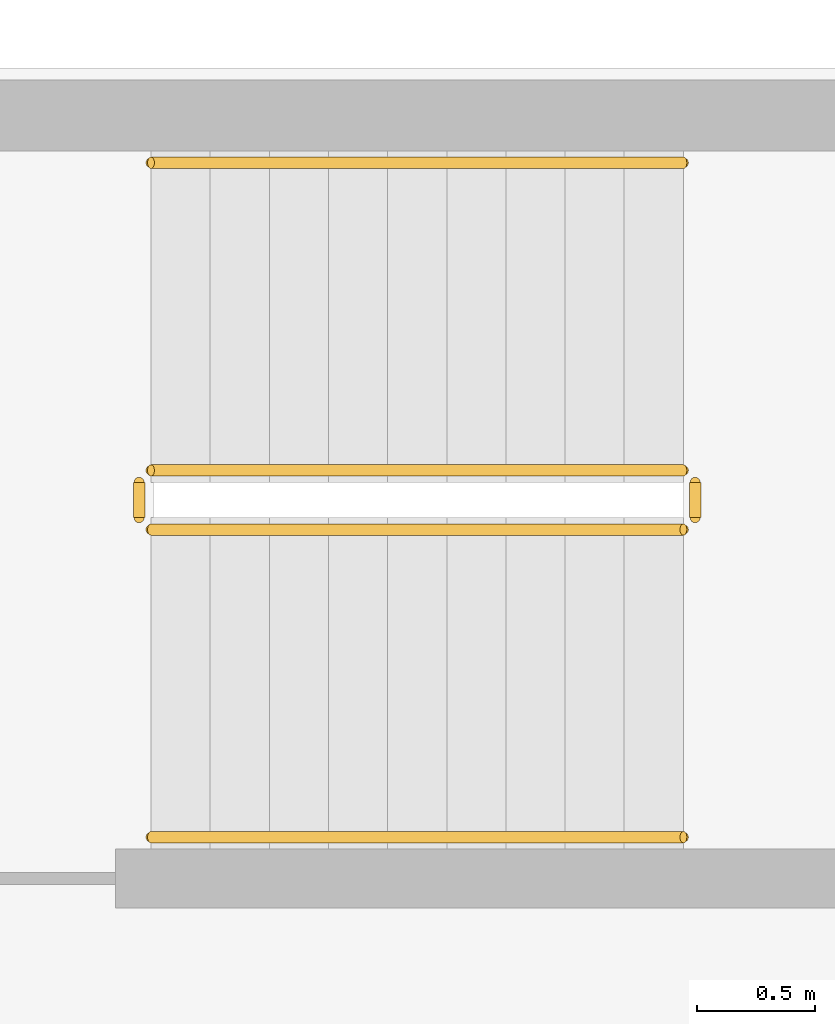
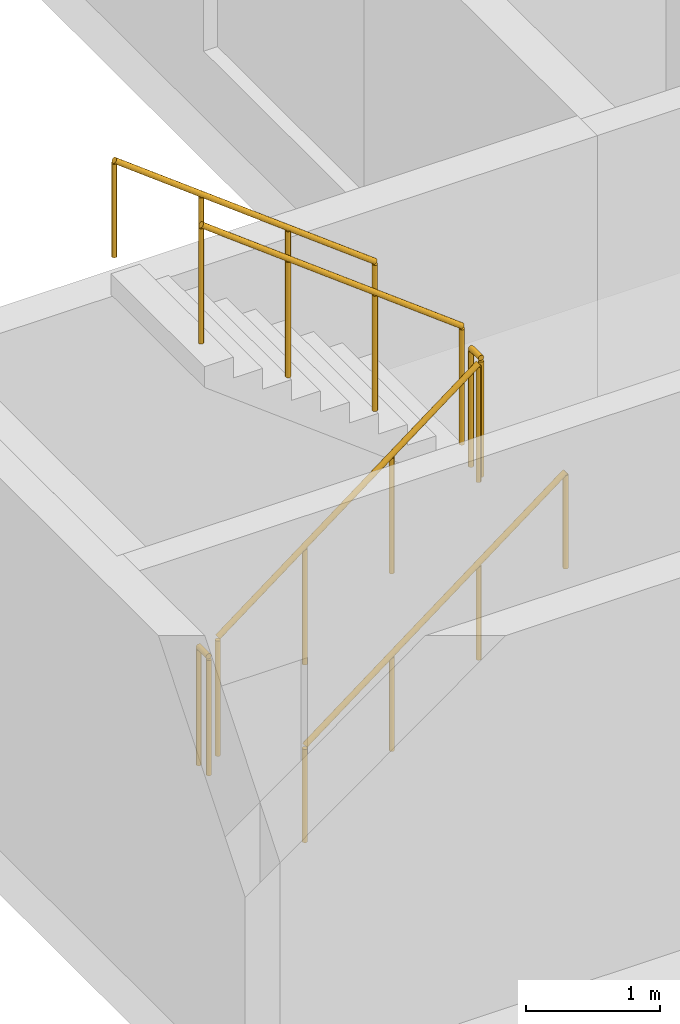
# One storey, part 13 of 13: 6 railings.
"""IFC4 building model written with IfcOpenShell, lengths in metres."""

from ifc_helpers import new_model, si_unit, direction, frame, origin, origin_2d, place, context, subcontext, project, spatial, circle, extrude, source, transform, mapped, material, type_object, element, save


model = new_model("IFC4")

# Units and contexts
model_context = context("Model", 3, precision=1e-05, world=origin(), true_north=direction((0.0, 1.0)))
body_context = subcontext(model_context, "Body", "Model", "MODEL_VIEW")
ifc_project = project(units=[si_unit("LENGTHUNIT", "METRE"), si_unit("AREAUNIT", "SQUARE_METRE"), si_unit("VOLUMEUNIT", "CUBIC_METRE"), si_unit("PLANEANGLEUNIT", "RADIAN"), si_unit("MASSUNIT", "GRAM", prefix="KILO")], contexts=[model_context])

# Site, building, storey
site_placement = place(None, origin())
site = spatial("IfcSite", under=ifc_project, at=site_placement, CompositionType="ELEMENT")
building_placement = place(site_placement, origin())
building = spatial("IfcBuilding", under=site, at=building_placement, Name="Aurelian Terraces", CompositionType="ELEMENT")
storey_placement = place(building_placement, frame((0.0, 0.0, 204.4)))
storey = spatial("IfcBuildingStorey", under=building, at=storey_placement, Name="L45", CompositionType="ELEMENT", Elevation=204.4)

# Railings
ifc_material = material(Name="Stainless steel", Category="steel")
railing_type_1 = type_object("IfcRailingType", Name="Stair guard 1100", PredefinedType="GUARDRAIL", material=ifc_material)
shared_shape_1 = source(origin(), body_context, "Body", "SweptSolid", [
    extrude(circle(Radius=0.024, at=origin_2d()), frame((0.0, 0.0, 1.076), z_axis=(0.0, 1.0, 0.0), x_axis=(-1.0, 0.0, 0.0)), (0.0, 0.0, 1.0), 0.15),
    extrude(circle(Radius=0.021, at=origin_2d()), origin(), (0.0, 0.0, 1.0), 1.052),
    extrude(circle(Radius=0.021, at=origin_2d()), frame((0.0, 0.15, 0.0)), (0.0, 0.0, 1.0), 1.052),
])
for number, where, name in (
    (1, (4.4, 42.05, 1.9), "L45 S3 stair guard 2"),
    (2, (2.05, 42.05, 0.0), "L45 S3 stair guard 4"),
):
    element("IfcRailing", number, at=place(storey_placement, frame(where)), inside=storey, type_object=railing_type_1, Name=name, PredefinedType="GUARDRAIL", context=body_context, shape_type="MappedRepresentation", body=[
        mapped(shared_shape_1, transform((0.0, 0.0, 0.0), scale=1.0)),
    ])
shared_shape_2 = source(origin(), body_context, "Body", "SweptSolid", [
    extrude(circle(Radius=0.024, at=origin_2d()), frame((0.0, 0.0, 1.076), z_axis=(0.796162194123, 0.0, 0.605083267534), x_axis=(0.0, 1.0, 0.0)), (0.0, 0.0, 1.0), 2.8261),
    extrude(circle(Radius=0.021, at=origin_2d()), origin(), (0.0, 0.0, 1.0), 1.052),
    extrude(circle(Radius=0.021, at=origin_2d()), frame((0.75, 0.0, 0.57)), (0.0, 0.0, 1.0), 1.052),
    extrude(circle(Radius=0.021, at=origin_2d()), frame((1.5, 0.0, 1.14)), (0.0, 0.0, 1.0), 1.052),
    extrude(circle(Radius=0.021, at=origin_2d()), frame((2.25, 0.0, 1.71)), (0.0, 0.0, 1.0), 1.052),
])
railing_1_placement = place(storey_placement, frame((2.1, 42.0, 0.19)))
element("IfcRailing", 3, at=railing_1_placement, inside=storey, type_object=railing_type_1, Name="L45 S3 stair guard 1", PredefinedType="GUARDRAIL", context=body_context, shape_type="MappedRepresentation", body=[
    mapped(shared_shape_2, transform((0.0, 0.0, 0.0), scale=1.0)),
])
shared_shape_3 = source(origin(), body_context, "Body", "SweptSolid", [
    extrude(circle(Radius=0.024, at=origin_2d()), frame((0.0, 0.0, 1.076), z_axis=(-0.796162194123, 0.0, 0.605083267534), x_axis=(0.0, -1.0, 0.0)), (0.0, 0.0, 1.0), 2.8261),
    extrude(circle(Radius=0.021, at=origin_2d()), origin(), (0.0, 0.0, 1.0), 1.052),
    extrude(circle(Radius=0.021, at=origin_2d()), frame((-0.75, 0.0, 0.57)), (0.0, 0.0, 1.0), 1.052),
    extrude(circle(Radius=0.021, at=origin_2d()), frame((-1.5, 0.0, 1.14)), (0.0, 0.0, 1.0), 1.052),
    extrude(circle(Radius=0.021, at=origin_2d()), frame((-2.25, 0.0, 1.71)), (0.0, 0.0, 1.0), 1.052),
])
railing_2_placement = place(storey_placement, frame((4.35, 42.25, 2.09)))
element("IfcRailing", 4, at=railing_2_placement, inside=storey, type_object=railing_type_1, Name="L45 S3 stair guard 3", PredefinedType="GUARDRAIL", context=body_context, shape_type="MappedRepresentation", body=[
    mapped(shared_shape_3, transform((0.0, 0.0, 0.0), scale=1.0)),
])
railing_type_2 = type_object("IfcRailingType", Name="Stair handrail", PredefinedType="HANDRAIL", material=ifc_material)
shared_shape_4 = source(origin(), body_context, "Body", "SweptSolid", [
    extrude(circle(Radius=0.024, at=origin_2d()), frame((0.0, 0.0, 0.876), z_axis=(0.796162194123, 0.0, 0.605083267534), x_axis=(0.0, 1.0, 0.0)), (0.0, 0.0, 1.0), 2.8261),
    extrude(circle(Radius=0.021, at=origin_2d()), origin(), (0.0, 0.0, 1.0), 0.852),
    extrude(circle(Radius=0.021, at=origin_2d()), frame((0.75, 0.0, 0.57)), (0.0, 0.0, 1.0), 0.852),
    extrude(circle(Radius=0.021, at=origin_2d()), frame((1.5, 0.0, 1.14)), (0.0, 0.0, 1.0), 0.852),
    extrude(circle(Radius=0.021, at=origin_2d()), frame((2.25, 0.0, 1.71)), (0.0, 0.0, 1.0), 0.852),
])
railing_3_placement = place(storey_placement, frame((2.1, 40.7, 0.19)))
element("IfcRailing", 5, at=railing_3_placement, inside=storey, type_object=railing_type_2, Name="L45 S3 stair handrail 1", PredefinedType="HANDRAIL", context=body_context, shape_type="MappedRepresentation", body=[
    mapped(shared_shape_4, transform((0.0, 0.0, 0.0), scale=1.0)),
])
shared_shape_5 = source(origin(), body_context, "Body", "SweptSolid", [
    extrude(circle(Radius=0.024, at=origin_2d()), frame((0.0, 0.0, 0.876), z_axis=(-0.796162194123, 0.0, 0.605083267534), x_axis=(0.0, -1.0, 0.0)), (0.0, 0.0, 1.0), 2.8261),
    extrude(circle(Radius=0.021, at=origin_2d()), origin(), (0.0, 0.0, 1.0), 0.852),
    extrude(circle(Radius=0.021, at=origin_2d()), frame((-0.75, 0.0, 0.57)), (0.0, 0.0, 1.0), 0.852),
    extrude(circle(Radius=0.021, at=origin_2d()), frame((-1.5, 0.0, 1.14)), (0.0, 0.0, 1.0), 0.852),
    extrude(circle(Radius=0.021, at=origin_2d()), frame((-2.25, 0.0, 1.71)), (0.0, 0.0, 1.0), 0.852),
])
railing_4_placement = place(storey_placement, frame((4.35, 43.55, 2.09)))
element("IfcRailing", 6, at=railing_4_placement, inside=storey, type_object=railing_type_2, Name="L45 S3 stair handrail 2", PredefinedType="HANDRAIL", context=body_context, shape_type="MappedRepresentation", body=[
    mapped(shared_shape_5, transform((0.0, 0.0, 0.0), scale=1.0)),
])

save(model, "model.ifc")
